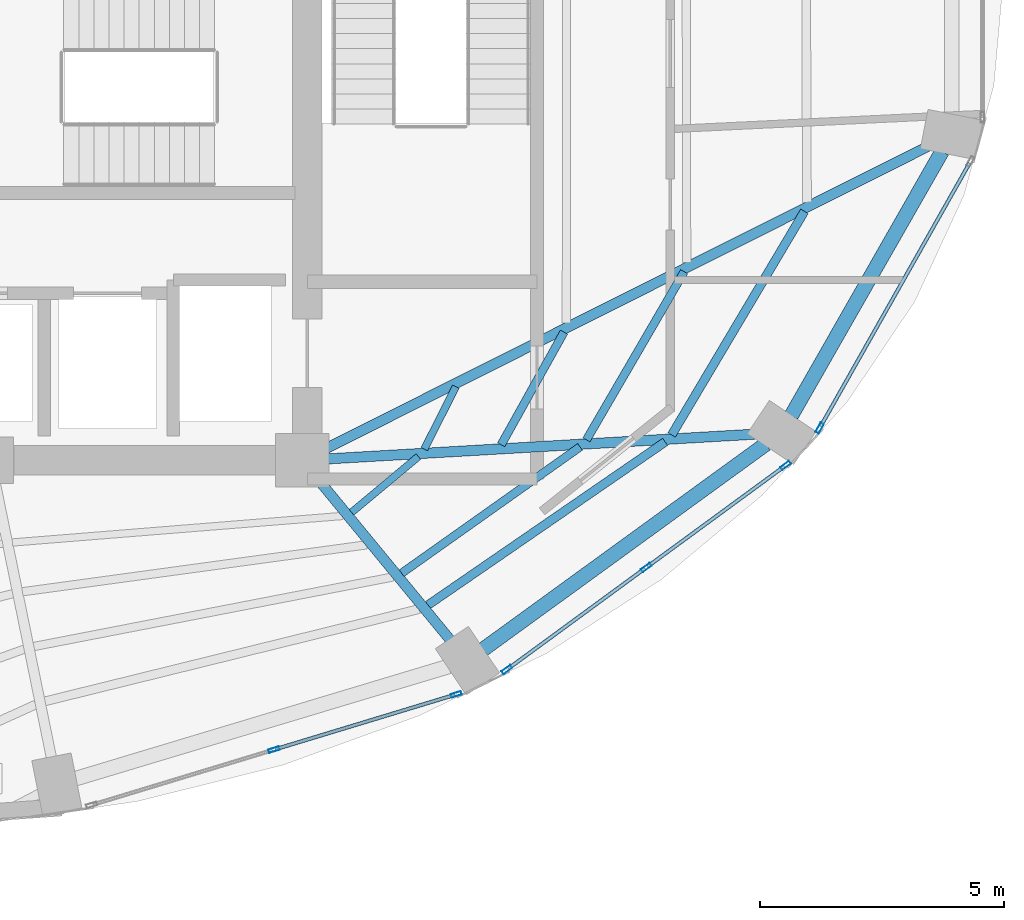
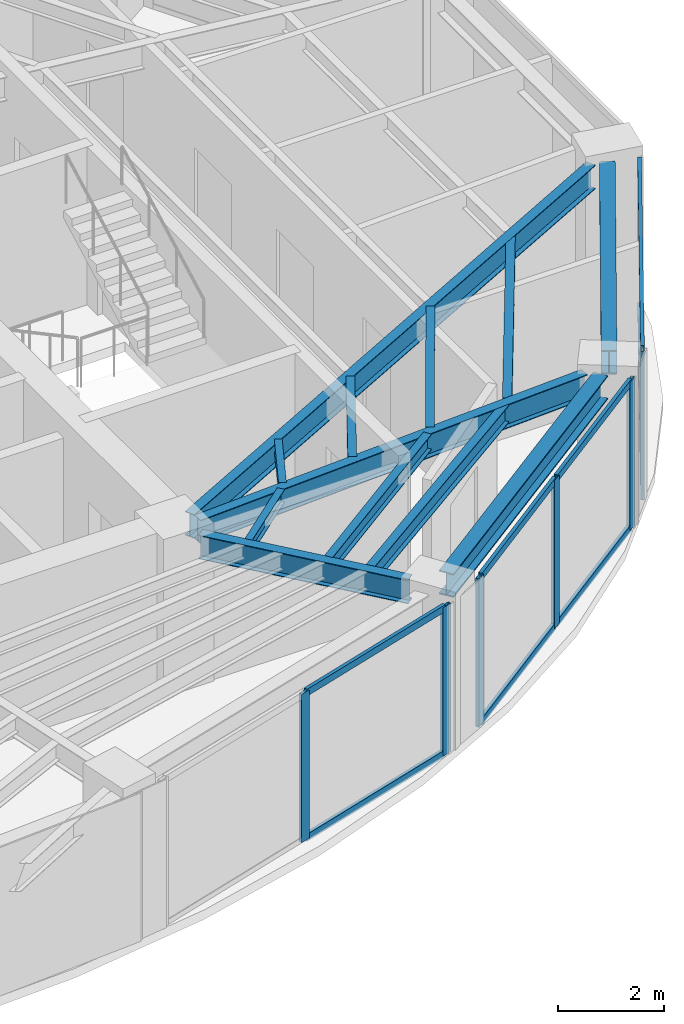
# One storey, part 9 of 20: 14 members, 12 beams, 3 elements without a shape of their own.
"""IFC4 building model written with IfcOpenShell, lengths in metres."""

from ifc_helpers import new_model, si_unit, direction, frame, origin, origin_2d, place, context, subcontext, project, spatial, hollow_rectangle, i_section, extrude, material, layer, layer_set, material_profile, profile_set, type_object, element, aggregate, save


model = new_model("IFC4")

# Units and contexts
model_context = context("Model", 3, precision=1e-05, world=origin(), true_north=direction((0.0, 1.0)))
body_context = subcontext(model_context, "Body", "Model", "MODEL_VIEW")
ifc_project = project(units=[si_unit("LENGTHUNIT", "METRE"), si_unit("AREAUNIT", "SQUARE_METRE"), si_unit("VOLUMEUNIT", "CUBIC_METRE"), si_unit("PLANEANGLEUNIT", "RADIAN"), si_unit("MASSUNIT", "GRAM", prefix="KILO")], contexts=[model_context])

# Site, building, storey
site_placement = place(None, origin())
site = spatial("IfcSite", under=ifc_project, at=site_placement, CompositionType="ELEMENT")
building_placement = place(site_placement, origin())
building = spatial("IfcBuilding", under=site, at=building_placement, Name="Lazwardi Medical Tower", CompositionType="ELEMENT")
storey_placement = place(building_placement, frame((0.0, 0.0, 145.583984375)))
storey = spatial("IfcBuildingStorey", under=building, at=storey_placement, Name="L37", CompositionType="ELEMENT", Elevation=145.583984375)

# Beams
ifc_material_1 = material(Name="Steel S355", Category="steel")
ifc_material_profile_1 = material_profile(ifc_material_1, i_section(OverallWidth=0.300048828125, OverallDepth=0.550048828125, WebThickness=0.014892578125, FlangeThickness=0.029052734375, at=origin_2d()), Name="HEB 550")
ifc_profile_set_1 = profile_set([ifc_material_profile_1], Name="Steel S355")
beam_type_1 = type_object("IfcBeamType", Name="BM-RB-Z3", PredefinedType="BEAM", material=ifc_profile_set_1)
beam_1_placement = place(storey_placement, frame((49.310302734375, 16.520751953125, 3.153076171875), z_axis=(0.809127570774, 0.587633026824, 0.0), x_axis=(-0.587633026824, 0.809127570774, 0.0)))
element("IfcBeam", 1, at=beam_1_placement, inside=storey, type_object=beam_type_1, Name="Ring beam RB-04 B02 L37", PredefinedType="BEAM", context=body_context, shape_type="SweptSolid", body=[
    extrude(i_section(OverallWidth=0.300048828125, OverallDepth=0.550048828125, WebThickness=0.014892578125, FlangeThickness=0.029052734375, at=origin_2d()), origin(), (0.0, 0.0, 1.0), 7.170166015625),
])
beam_2_placement = place(storey_placement, frame((55.6337890625, 21.316650390625, 3.153076171875), z_axis=(0.495477752551, 0.868620628771, 0.0), x_axis=(-0.868620628771, 0.495477752551, 0.0)))
element("IfcBeam", 2, at=beam_2_placement, inside=storey, type_object=beam_type_1, Name="Ring beam RB-04 B03 L37", PredefinedType="BEAM", context=body_context, shape_type="SweptSolid", body=[
    extrude(i_section(OverallWidth=0.300048828125, OverallDepth=0.550048828125, WebThickness=0.014892578125, FlangeThickness=0.029052734375, at=origin_2d()), origin(), (0.0, 0.0, 1.0), 6.244384765625),
])
ifc_material_profile_2 = material_profile(ifc_material_1, i_section(OverallWidth=0.2099609375, OverallDepth=0.550048828125, WebThickness=0.010986328125, FlangeThickness=0.01708984375, at=origin_2d()), Name="IPE 550")
ifc_profile_set_2 = profile_set([ifc_material_profile_2], Name="Steel S355")
beam_type_2 = type_object("IfcBeamType", Name="BM-RG-W2", PredefinedType="BEAM", material=ifc_profile_set_2)
beam_3_placement = place(storey_placement, frame((48.630615234375, 16.71826171875, 3.153076171875), z_axis=(-0.635555639966, 0.772055068312, 0.0), x_axis=(-0.772055068312, -0.635555639966, 0.0)))
element("IfcBeam", 3, at=beam_3_placement, inside=storey, type_object=beam_type_2, Name="Radial girder RG-03 R02 L37", PredefinedType="BEAM", context=body_context, shape_type="SweptSolid", body=[
    extrude(i_section(OverallWidth=0.2099609375, OverallDepth=0.550048828125, WebThickness=0.010986328125, FlangeThickness=0.01708984375, at=origin_2d()), origin(), (0.0, 0.0, 1.0), 4.233642578125),
])
beam_4_placement = place(storey_placement, frame((54.87646484375, 20.936767578125, 3.153076171875), z_axis=(-0.998330154646, -0.057765927014, 0.0), x_axis=(0.057765927014, -0.998330154646, 0.0)))
element("IfcBeam", 4, at=beam_4_placement, inside=storey, type_object=beam_type_2, Name="Radial girder RG-03 R03 L37", PredefinedType="BEAM", context=body_context, shape_type="SweptSolid", body=[
    extrude(i_section(OverallWidth=0.2099609375, OverallDepth=0.550048828125, WebThickness=0.010986328125, FlangeThickness=0.01708984375, at=origin_2d()), origin(), (0.0, 0.0, 1.0), 8.757080078125),
])
beam_5_placement = place(storey_placement, frame((58.42529296875, 26.837158203125, 3.153076171875), z_axis=(-0.893740468624, -0.448584412061, 0.0), x_axis=(0.448584412061, -0.893740468624, 0.0)))
element("IfcBeam", 5, at=beam_5_placement, inside=storey, type_object=beam_type_2, Name="Radial girder RG-03 R04 L37", PredefinedType="BEAM", context=body_context, shape_type="SweptSolid", body=[
    extrude(i_section(OverallWidth=0.2099609375, OverallDepth=0.550048828125, WebThickness=0.010986328125, FlangeThickness=0.01708984375, at=origin_2d()), origin(), (0.0, 0.0, 1.0), 13.815185546875),
])
ifc_material_profile_3 = material_profile(ifc_material_1, i_section(OverallWidth=0.179931640625, OverallDepth=0.39990234375, WebThickness=0.008544921875, FlangeThickness=0.013427734375, at=origin_2d()), Name="IPE 400")
ifc_profile_set_3 = profile_set([ifc_material_profile_3], Name="Steel S355")
beam_type_3 = type_object("IfcBeamType", Name="BM-SJ-01", PredefinedType="JOIST", material=ifc_profile_set_3)
beam_6_placement = place(storey_placement, frame((48.1748046875, 17.4287109375, 3.22802734375), z_axis=(0.823932256005, 0.566688307198, 0.0), x_axis=(-0.566688307198, 0.823932256005, 0.0)))
element("IfcBeam", 6, at=beam_6_placement, inside=storey, type_object=beam_type_3, Name="Secondary joist SJ-01 R1 B02 L37", PredefinedType="JOIST", context=body_context, shape_type="SweptSolid", body=[
    extrude(i_section(OverallWidth=0.179931640625, OverallDepth=0.39990234375, WebThickness=0.008544921875, FlangeThickness=0.013427734375, at=origin_2d()), origin(), (0.0, 0.0, 1.0), 5.91162109375),
])
beam_7_placement = place(storey_placement, frame((53.17919921875, 20.921630859375, 3.22802734375), z_axis=(0.510569396963, 0.859836548935, 0.0), x_axis=(-0.859836548935, 0.510569396963, 0.0)))
element("IfcBeam", 7, at=beam_7_placement, inside=storey, type_object=beam_type_3, Name="Secondary joist SJ-01 R1 B03 L37", PredefinedType="JOIST", context=body_context, shape_type="SweptSolid", body=[
    extrude(i_section(OverallWidth=0.179931640625, OverallDepth=0.39990234375, WebThickness=0.008544921875, FlangeThickness=0.013427734375, at=origin_2d()), origin(), (0.0, 0.0, 1.0), 5.33837890625),
])
ifc_material_profile_4 = material_profile(ifc_material_1, i_section(OverallWidth=0.169921875, OverallDepth=0.360107421875, WebThickness=0.008056640625, FlangeThickness=0.0126953125, at=origin_2d()), Name="IPE 360")
ifc_profile_set_4 = profile_set([ifc_material_profile_4], Name="Steel S355")
beam_type_4 = type_object("IfcBeamType", Name="BM-SJ-02", PredefinedType="JOIST", material=ifc_profile_set_4)
beam_8_placement = place(storey_placement, frame((47.635986328125, 18.08349609375, 3.248046875), z_axis=(0.816108950798, 0.577898070967, 0.0), x_axis=(-0.577898070967, 0.816108950798, 0.0)))
element("IfcBeam", 8, at=beam_8_placement, inside=storey, type_object=beam_type_4, Name="Secondary joist SJ-02 R2 B02 L37", PredefinedType="JOIST", context=body_context, shape_type="SweptSolid", body=[
    extrude(i_section(OverallWidth=0.169921875, OverallDepth=0.360107421875, WebThickness=0.008056640625, FlangeThickness=0.0126953125, at=origin_2d()), origin(), (0.0, 0.0, 1.0), 4.487060546875),
])
beam_9_placement = place(storey_placement, frame((51.4296875, 20.82080078125, 3.248046875), z_axis=(0.502665102216, 0.864481228839, 0.0), x_axis=(-0.864481228839, 0.502665102216, 0.0)))
element("IfcBeam", 9, at=beam_9_placement, inside=storey, type_object=beam_type_4, Name="Secondary joist SJ-02 R2 B03 L37", PredefinedType="JOIST", context=body_context, shape_type="SweptSolid", body=[
    extrude(i_section(OverallWidth=0.169921875, OverallDepth=0.360107421875, WebThickness=0.008056640625, FlangeThickness=0.0126953125, at=origin_2d()), origin(), (0.0, 0.0, 1.0), 3.991943359375),
])
beam_10_placement = place(storey_placement, frame((49.6796875, 20.720703125, 3.248046875), z_axis=(0.487099444348, 0.87334651274, 0.0), x_axis=(-0.87334651274, 0.487099444348, 0.0)))
element("IfcBeam", 10, at=beam_10_placement, inside=storey, type_object=beam_type_4, Name="Secondary joist SJ-02 R3 B03 L37", PredefinedType="JOIST", context=body_context, shape_type="SweptSolid", body=[
    extrude(i_section(OverallWidth=0.169921875, OverallDepth=0.360107421875, WebThickness=0.008056640625, FlangeThickness=0.0126953125, at=origin_2d()), origin(), (0.0, 0.0, 1.0), 2.64599609375),
])
ifc_material_profile_5 = material_profile(ifc_material_1, i_section(OverallWidth=0.14990234375, OverallDepth=0.300048828125, WebThickness=0.007080078125, FlangeThickness=0.0107421875, at=origin_2d()), Name="IPE 300")
ifc_profile_set_5 = profile_set([ifc_material_profile_5], Name="Steel S355")
beam_type_5 = type_object("IfcBeamType", Name="BM-SJ-03", PredefinedType="JOIST", material=ifc_profile_set_5)
beam_11_placement = place(storey_placement, frame((46.608642578125, 19.331787109375, 3.278076171875), z_axis=(0.767437193893, 0.641124132621, 0.0), x_axis=(-0.641124132621, 0.767437193893, 0.0)))
element("IfcBeam", 11, at=beam_11_placement, inside=storey, type_object=beam_type_5, Name="Secondary joist SJ-03 R4 B02 L37", PredefinedType="JOIST", context=body_context, shape_type="SweptSolid", body=[
    extrude(i_section(OverallWidth=0.14990234375, OverallDepth=0.300048828125, WebThickness=0.007080078125, FlangeThickness=0.0107421875, at=origin_2d()), origin(), (0.0, 0.0, 1.0), 1.787841796875),
])
beam_12_placement = place(storey_placement, frame((48.1025390625, 20.631591796875, 3.278076171875), z_axis=(0.450406075332, 0.892823816497, 0.0), x_axis=(-0.892823816497, 0.450406075332, 0.0)))
element("IfcBeam", 12, at=beam_12_placement, inside=storey, type_object=beam_type_5, Name="Secondary joist SJ-03 R4 B03 L37", PredefinedType="JOIST", context=body_context, shape_type="SweptSolid", body=[
    extrude(i_section(OverallWidth=0.14990234375, OverallDepth=0.300048828125, WebThickness=0.007080078125, FlangeThickness=0.0107421875, at=origin_2d()), origin(), (0.0, 0.0, 1.0), 1.4365234375),
])

# Curtain wall, members
ifc_material_2 = material(Name="Anodised bronze aluminium and solar control glazing", Category="aluminium")
ifc_layer = layer(ifc_material_2, 0.195068359375)
ifc_layer_set = layer_set([ifc_layer], Name="Anodised bronze aluminium and solar control glazing")
curtain_wall_type = type_object("IfcCurtainWallType", Name="CW-SYS-03", PredefinedType="NOTDEFINED", material=ifc_layer_set)
curtain_wall_1_placement = place(storey_placement, origin())
curtain_wall_1 = element("IfcCurtainWall", 13, at=curtain_wall_1_placement, inside=storey, type_object=curtain_wall_type, Name="L37 Unitised bronze curtain wall CW-03", PredefinedType="NOTDEFINED")
ifc_material_3 = material(Name="Anodised bronze aluminium", Category="aluminium")
ifc_material_profile_6 = material_profile(ifc_material_3, hollow_rectangle(XDim=0.074951171875, YDim=0.219970703125, WallThickness=0.00390625, at=origin_2d()), Name="ALU-MULLION 220x75x4")
ifc_profile_set_6 = profile_set([ifc_material_profile_6], Name="Anodised bronze aluminium")
member_type_1 = type_object("IfcMemberType", Name="CW-MUL-01", PredefinedType="MULLION", material=ifc_profile_set_6)
member_1_placement = place(storey_placement, frame((45.01513671875, 14.461181640625, 0.0), z_axis=(0.0, 0.0, 1.0), x_axis=(-0.290280785441, 0.956941516292, 0.0)))
member_1 = element("IfcMember", 14, at=member_1_placement, type_object=member_type_1, Name="CW-03 mullion 2", PredefinedType="MULLION", context=body_context, shape_type="SweptSolid", body=[
    extrude(hollow_rectangle(XDim=0.074951171875, YDim=0.219970703125, WallThickness=0.00390625, at=origin_2d()), origin(), (0.0, 0.0, 1.0), 3.427978515625),
])
member_2_placement = place(storey_placement, frame((48.758056640625, 15.5966796875, 0.0), z_axis=(0.0, 0.0, 1.0), x_axis=(-0.290280785441, 0.956941516292, 0.0)))
member_2 = element("IfcMember", 15, at=member_2_placement, type_object=member_type_1, Name="CW-03 mullion 3", PredefinedType="MULLION", context=body_context, shape_type="SweptSolid", body=[
    extrude(hollow_rectangle(XDim=0.074951171875, YDim=0.219970703125, WallThickness=0.00390625, at=origin_2d()), origin(), (0.0, 0.0, 1.0), 3.427978515625),
])

curtain_wall_2_placement = place(storey_placement, origin())
curtain_wall_2 = element("IfcCurtainWall", 16, at=curtain_wall_2_placement, inside=storey, type_object=curtain_wall_type, Name="L37 Unitised bronze curtain wall CW-03", PredefinedType="NOTDEFINED")
member_3_placement = place(storey_placement, frame((49.795654296875, 16.105224609375, 0.0), z_axis=(0.0, 0.0, 1.0), x_axis=(-0.590833862635, 0.806793249082, 0.0)))
member_3 = element("IfcMember", 17, at=member_3_placement, type_object=member_type_1, Name="CW-03 mullion 1", PredefinedType="MULLION", context=body_context, shape_type="SweptSolid", body=[
    extrude(hollow_rectangle(XDim=0.074951171875, YDim=0.219970703125, WallThickness=0.00390625, at=origin_2d()), origin(), (0.0, 0.0, 1.0), 3.427978515625),
])
member_4_placement = place(storey_placement, frame((52.65771484375, 18.201171875, 0.0), z_axis=(0.0, 0.0, 1.0), x_axis=(-0.590833862635, 0.806793249082, 0.0)))
member_4 = element("IfcMember", 18, at=member_4_placement, type_object=member_type_1, Name="CW-03 mullion 2", PredefinedType="MULLION", context=body_context, shape_type="SweptSolid", body=[
    extrude(hollow_rectangle(XDim=0.074951171875, YDim=0.219970703125, WallThickness=0.00390625, at=origin_2d()), origin(), (0.0, 0.0, 1.0), 3.427978515625),
])
member_5_placement = place(storey_placement, frame((55.519775390625, 20.297119140625, 0.0), z_axis=(0.0, 0.0, 1.0), x_axis=(-0.590833862635, 0.806793249082, 0.0)))
member_5 = element("IfcMember", 19, at=member_5_placement, type_object=member_type_1, Name="CW-03 mullion 3", PredefinedType="MULLION", context=body_context, shape_type="SweptSolid", body=[
    extrude(hollow_rectangle(XDim=0.074951171875, YDim=0.219970703125, WallThickness=0.00390625, at=origin_2d()), origin(), (0.0, 0.0, 1.0), 3.427978515625),
])

# Curtain wall, member
curtain_wall_3_placement = place(storey_placement, origin())
curtain_wall_3 = element("IfcCurtainWall", 20, at=curtain_wall_3_placement, inside=storey, type_object=curtain_wall_type, Name="L37 Unitised bronze curtain wall CW-03", PredefinedType="NOTDEFINED")
member_6_placement = place(storey_placement, frame((56.217529296875, 21.063232421875, 0.0), z_axis=(0.0, 0.0, 1.0), x_axis=(-0.870418989303, 0.492311672683, 0.0)))
member_6 = element("IfcMember", 21, at=member_6_placement, type_object=member_type_1, Name="CW-03 mullion 1", PredefinedType="MULLION", context=body_context, shape_type="SweptSolid", body=[
    extrude(hollow_rectangle(XDim=0.074951171875, YDim=0.219970703125, WallThickness=0.00390625, at=origin_2d()), origin(), (0.0, 0.0, 1.0), 3.427978515625),
])

# Member
ifc_material_profile_7 = material_profile(ifc_material_3, hollow_rectangle(XDim=0.074951171875, YDim=0.159912109375, WallThickness=0.00390625, at=origin_2d()), Name="ALU-TRANSOM 160x75x4")
ifc_profile_set_7 = profile_set([ifc_material_profile_7], Name="Anodised bronze aluminium")
member_type_2 = type_object("IfcMemberType", Name="CW-TRN-01", PredefinedType="USERDEFINED", material=ifc_profile_set_7)
member_7_placement = place(storey_placement, frame((45.051025390625, 14.47216796875, 0.03759765625), z_axis=(0.956930154175, 0.290318239233, 0.0), x_axis=(-0.290318239233, 0.956930154175, 0.0)))
member_7 = element("IfcMember", 22, at=member_7_placement, type_object=member_type_2, Name="CW-03 transom 2.1", ObjectType="TRANSOM", PredefinedType="USERDEFINED", context=body_context, shape_type="SweptSolid", body=[
    extrude(hollow_rectangle(XDim=0.074951171875, YDim=0.159912109375, WallThickness=0.00390625, at=origin_2d()), origin(), (0.0, 0.0, 1.0), 3.83642578125),
])

member_8_placement = place(storey_placement, frame((45.051025390625, 14.47216796875, 3.390625), z_axis=(0.956930154175, 0.290318239233, 0.0), x_axis=(-0.290318239233, 0.956930154175, 0.0)))
member_8 = element("IfcMember", 23, at=member_8_placement, type_object=member_type_2, Name="CW-03 transom 2.2", ObjectType="TRANSOM", PredefinedType="USERDEFINED", context=body_context, shape_type="SweptSolid", body=[
    extrude(hollow_rectangle(XDim=0.074951171875, YDim=0.159912109375, WallThickness=0.00390625, at=origin_2d()), origin(), (0.0, 0.0, 1.0), 3.83642578125),
])

aggregate(curtain_wall_1, [member_1, member_2, member_7, member_8])

member_9_placement = place(storey_placement, frame((49.825927734375, 16.127197265625, 0.03759765625), z_axis=(0.806773646358, 0.590860629542, 0.0), x_axis=(-0.590860629542, 0.806773646358, 0.0)))
member_9 = element("IfcMember", 24, at=member_9_placement, type_object=member_type_2, Name="CW-03 transom 1.1", ObjectType="TRANSOM", PredefinedType="USERDEFINED", context=body_context, shape_type="SweptSolid", body=[
    extrude(hollow_rectangle(XDim=0.074951171875, YDim=0.159912109375, WallThickness=0.00390625, at=origin_2d()), origin(), (0.0, 0.0, 1.0), 3.472412109375),
])

member_10_placement = place(storey_placement, frame((49.825927734375, 16.127197265625, 3.390625), z_axis=(0.806773646358, 0.590860629542, 0.0), x_axis=(-0.590860629542, 0.806773646358, 0.0)))
member_10 = element("IfcMember", 25, at=member_10_placement, type_object=member_type_2, Name="CW-03 transom 1.2", ObjectType="TRANSOM", PredefinedType="USERDEFINED", context=body_context, shape_type="SweptSolid", body=[
    extrude(hollow_rectangle(XDim=0.074951171875, YDim=0.159912109375, WallThickness=0.00390625, at=origin_2d()), origin(), (0.0, 0.0, 1.0), 3.472412109375),
])

member_11_placement = place(storey_placement, frame((52.68798828125, 18.22314453125, 0.03759765625), z_axis=(0.806773646358, 0.590860629542, 0.0), x_axis=(-0.590860629542, 0.806773646358, 0.0)))
member_11 = element("IfcMember", 26, at=member_11_placement, type_object=member_type_2, Name="CW-03 transom 2.1", ObjectType="TRANSOM", PredefinedType="USERDEFINED", context=body_context, shape_type="SweptSolid", body=[
    extrude(hollow_rectangle(XDim=0.074951171875, YDim=0.159912109375, WallThickness=0.00390625, at=origin_2d()), origin(), (0.0, 0.0, 1.0), 3.472412109375),
])

member_12_placement = place(storey_placement, frame((52.68798828125, 18.22314453125, 3.390625), z_axis=(0.806773646358, 0.590860629542, 0.0), x_axis=(-0.590860629542, 0.806773646358, 0.0)))
member_12 = element("IfcMember", 27, at=member_12_placement, type_object=member_type_2, Name="CW-03 transom 2.2", ObjectType="TRANSOM", PredefinedType="USERDEFINED", context=body_context, shape_type="SweptSolid", body=[
    extrude(hollow_rectangle(XDim=0.074951171875, YDim=0.159912109375, WallThickness=0.00390625, at=origin_2d()), origin(), (0.0, 0.0, 1.0), 3.472412109375),
])

aggregate(curtain_wall_2, [member_3, member_4, member_5, member_9, member_10, member_11, member_12])

member_13_placement = place(storey_placement, frame((56.236083984375, 21.095947265625, 0.03759765625), z_axis=(0.492322860598, 0.870412661289, 0.0), x_axis=(-0.870412661289, 0.492322860598, 0.0)))
member_13 = element("IfcMember", 28, at=member_13_placement, type_object=member_type_2, Name="CW-03 transom 1.1", ObjectType="TRANSOM", PredefinedType="USERDEFINED", context=body_context, shape_type="SweptSolid", body=[
    extrude(hollow_rectangle(XDim=0.074951171875, YDim=0.159912109375, WallThickness=0.00390625, at=origin_2d()), origin(), (0.0, 0.0, 1.0), 6.20849609375),
])

member_14_placement = place(storey_placement, frame((56.236083984375, 21.095947265625, 3.390625), z_axis=(0.492322860598, 0.870412661289, 0.0), x_axis=(-0.870412661289, 0.492322860598, 0.0)))
member_14 = element("IfcMember", 29, at=member_14_placement, type_object=member_type_2, Name="CW-03 transom 1.2", ObjectType="TRANSOM", PredefinedType="USERDEFINED", context=body_context, shape_type="SweptSolid", body=[
    extrude(hollow_rectangle(XDim=0.074951171875, YDim=0.159912109375, WallThickness=0.00390625, at=origin_2d()), origin(), (0.0, 0.0, 1.0), 6.20849609375),
])

aggregate(curtain_wall_3, [member_6, member_13, member_14])

save(model, "model.ifc")
